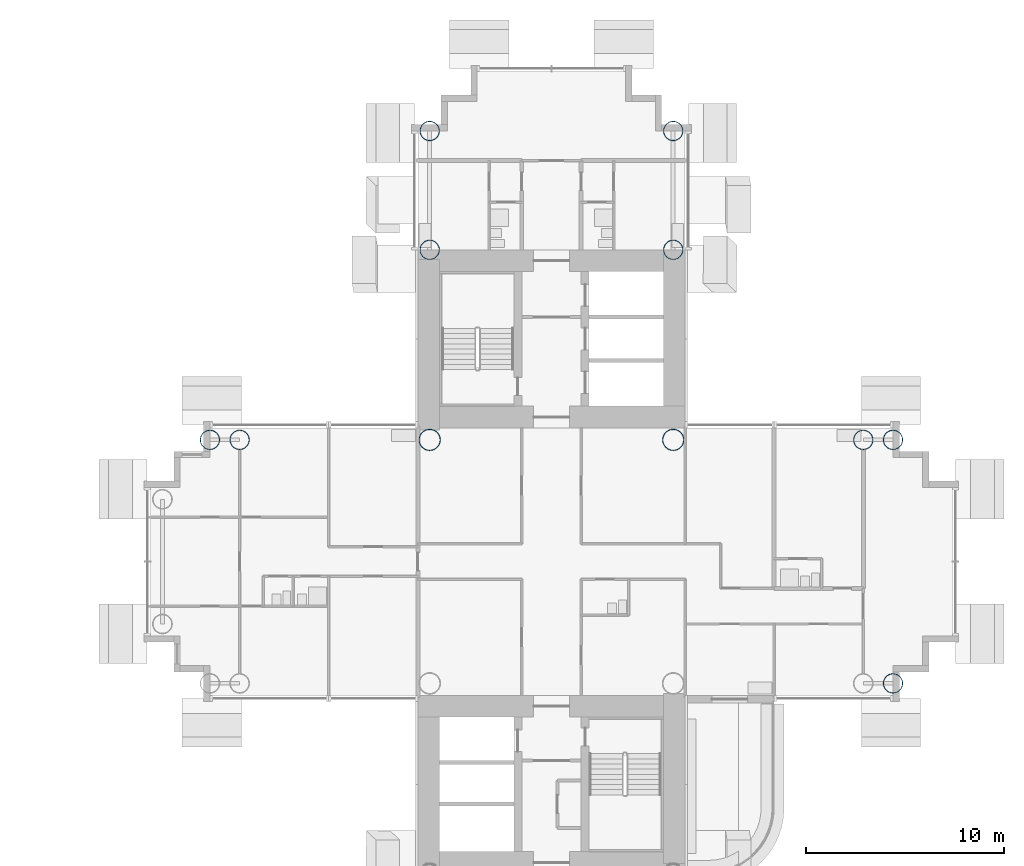
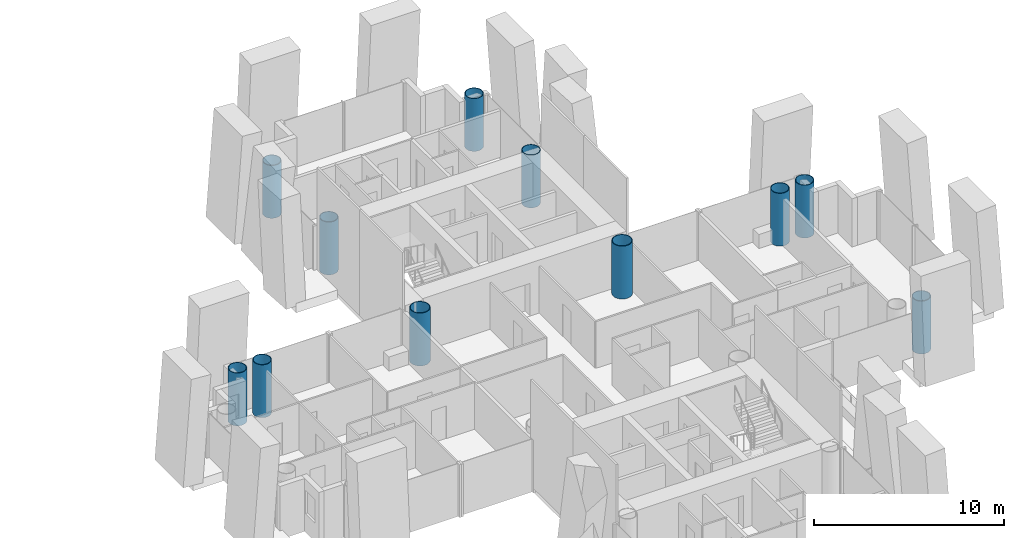
# One storey, part 2 of 25: 11 columns.
"""IFC4 building model written with IfcOpenShell, lengths in metres."""

from ifc_helpers import new_model, si_unit, direction, frame, origin, origin_2d, place, context, subcontext, project, spatial, hollow_circle, extrude, material, material_profile, profile_set, type_object, element, save


model = new_model("IFC4")

# Units and contexts
model_context = context("Model", 3, precision=1e-05, world=origin(), true_north=direction((0.0, 1.0)))
body_context = subcontext(model_context, "Body", "Model", "MODEL_VIEW")
ifc_project = project(units=[si_unit("LENGTHUNIT", "METRE"), si_unit("AREAUNIT", "SQUARE_METRE"), si_unit("VOLUMEUNIT", "CUBIC_METRE"), si_unit("PLANEANGLEUNIT", "RADIAN"), si_unit("MASSUNIT", "GRAM", prefix="KILO")], contexts=[model_context])

# Site, building, storey
site_placement = place(None, origin())
site = spatial("IfcSite", under=ifc_project, at=site_placement, CompositionType="ELEMENT")
building_placement = place(site_placement, origin())
building = spatial("IfcBuilding", under=site, at=building_placement, Name="Ipe Terrace Towers", CompositionType="ELEMENT")
storey_placement = place(building_placement, frame((0.0, 0.0, 31.300048828125)))
storey = spatial("IfcBuildingStorey", under=building, at=storey_placement, Name="L07", CompositionType="ELEMENT", Elevation=31.300048828125)

# Columns
ifc_material_1 = material(Name="Steel S355 tube with Concrete C60/75 fill", Category="concrete")
ifc_material_profile_1 = material_profile(ifc_material_1, hollow_circle(Radius=0.5, WallThickness=0.035888671875, at=origin_2d()), Name="CHS-1000x36")
ifc_profile_set_1 = profile_set([ifc_material_profile_1], Name="Steel S355 tube with Concrete C60/75 fill")
column_type_1 = type_object("IfcColumnType", Name="CH01 COLUMN CHS-1000x36", PredefinedType="COLUMN", material=ifc_profile_set_1)
for number, where, z_axis, x_axis, name in (
    (1, (42.14990234375, 15.75, 0.0), (0.0, 0.0, 1.0), (1.0, 0.0, 0.0), "Column T2-C-A01"),
    (2, (29.85009765625, 15.75, 0.0), (0.0, 0.0, 1.0), (1.0, 0.0, 0.0), "Column T2-C-A02"),
    (3, (42.14990234375, 21.75, 0.0), (0.0, 0.0, 1.0), (1.0, 0.0, 0.0), "Column T2-C-A03"),
    (4, (29.85009765625, 21.75, 0.0), (0.0, 0.0, 1.0), (1.0, 0.0, 0.0), "Column T2-C-A04"),
    (5, (20.25, 6.14990234375, 0.0), (0.0, 0.0, 1.0), (1.0, 0.0, 0.0), "Column T2-C-B03"),
    (6, (18.75, 6.14990234375, 0.0), (0.0, 0.0, 1.0), (1.0, 0.0, 0.0), "Column T2-C-B05"),
    (7, (51.75, 6.14990234375, 0.0), (0.0, 0.0, 1.0), (1.0, 0.0, 0.0), "Column T2-C-D04"),
    (8, (53.25, -6.14990234375, 0.0), (0.0, 0.0, 1.0), (1.0, 0.0, 0.0), "Column T2-C-D05"),
    (9, (53.25, 6.14990234375, 0.0), (0.0, 0.0, 1.0), (1.0, 0.0, 0.0), "Column T2-C-D06"),
):
    element("IfcColumn", number, at=place(storey_placement, frame(where, z_axis=z_axis, x_axis=x_axis)), inside=storey, type_object=column_type_1, Name=name, PredefinedType="COLUMN", context=body_context, shape_type="SweptSolid", body=[
        extrude(hollow_circle(Radius=0.5, WallThickness=0.035888671875, at=origin_2d()), origin(), (0.0, 0.0, 1.0), 3.39990234375),
    ])
ifc_material_2 = material(Name="Steel S355 tube with Concrete C60/75 fill", Category="concrete")
ifc_material_profile_2 = material_profile(ifc_material_2, hollow_circle(Radius=0.550048828125, WallThickness=0.0400390625, at=origin_2d()), Name="CHS-1100x40")
ifc_profile_set_2 = profile_set([ifc_material_profile_2], Name="Steel S355 tube with Concrete C60/75 fill")
column_type_2 = type_object("IfcColumnType", Name="CH02 COLUMN CHS-1100x40", PredefinedType="COLUMN", material=ifc_profile_set_2)
for number, where, z_axis, x_axis, name in (
    (10, (42.14990234375, 6.14990234375, 0.0), (0.0, 0.0, 1.0), (1.0, 0.0, 0.0), "Column T2-C-E02"),
    (11, (29.85009765625, 6.14990234375, 0.0), (0.0, 0.0, 1.0), (1.0, 0.0, 0.0), "Column T2-C-E03"),
):
    element("IfcColumn", number, at=place(storey_placement, frame(where, z_axis=z_axis, x_axis=x_axis)), inside=storey, type_object=column_type_2, Name=name, PredefinedType="COLUMN", context=body_context, shape_type="SweptSolid", body=[
        extrude(hollow_circle(Radius=0.550048828125, WallThickness=0.0400390625, at=origin_2d()), origin(), (0.0, 0.0, 1.0), 3.39990234375),
    ])

save(model, "model.ifc")
